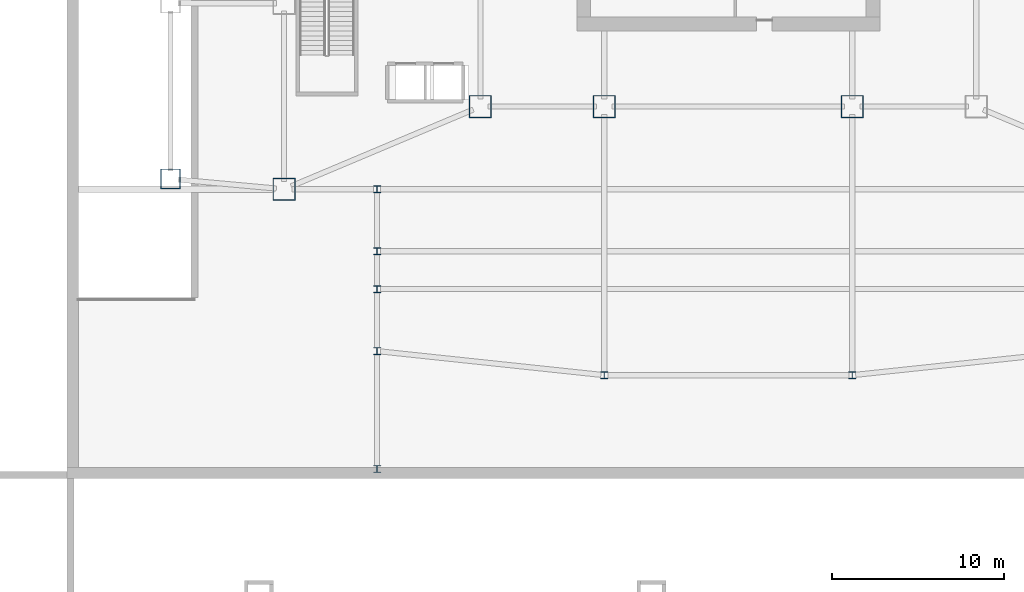
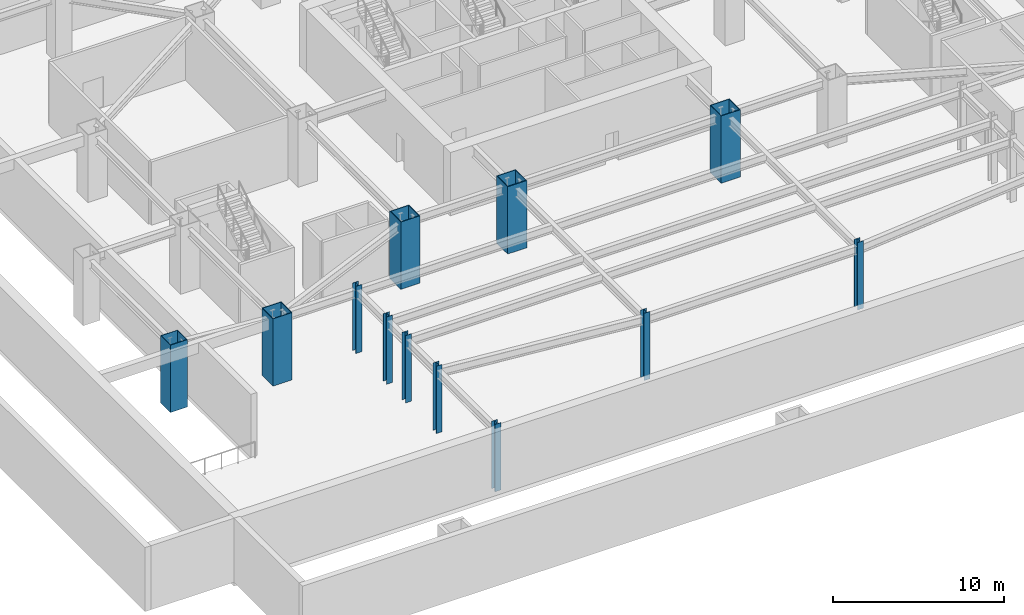
# One storey, part 1 of 15: 12 columns.
"""IFC4 building model written with IfcOpenShell, lengths in metres."""

from ifc_helpers import new_model, si_unit, direction, frame, origin, origin_2d, place, context, subcontext, project, spatial, hollow_rectangle, i_section, extrude, material, material_profile, profile_set, type_object, element, save


model = new_model("IFC4")

# Units and contexts
model_context = context("Model", 3, precision=1e-05, world=origin(), true_north=direction((0.0, 1.0)))
body_context = subcontext(model_context, "Body", "Model", "MODEL_VIEW")
ifc_project = project(units=[si_unit("LENGTHUNIT", "METRE"), si_unit("AREAUNIT", "SQUARE_METRE"), si_unit("VOLUMEUNIT", "CUBIC_METRE"), si_unit("PLANEANGLEUNIT", "RADIAN"), si_unit("MASSUNIT", "GRAM", prefix="KILO")], contexts=[model_context])

# Site, building, storey
site_placement = place(None, origin())
site = spatial("IfcSite", under=ifc_project, at=site_placement, CompositionType="ELEMENT")
building_placement = place(site_placement, origin())
building = spatial("IfcBuilding", under=site, at=building_placement, Name="Haolan Belvedere Tower", CompositionType="ELEMENT")
storey_placement = place(building_placement, frame((0.0, 0.0, -4.800048828125)))
storey = spatial("IfcBuildingStorey", under=building, at=storey_placement, Name="B1", CompositionType="ELEMENT", Elevation=-4.800048828125)

# Columns
ifc_material = material(Name="Steel Q355B", Category="steel")
ifc_material_profile_1 = material_profile(ifc_material, hollow_rectangle(XDim=1.14990234375, YDim=1.14990234375, WallThickness=0.0419921875, at=origin_2d()), Name="Steel Q355B")
ifc_profile_set_1 = profile_set([ifc_material_profile_1], Name="Steel Q355B")
column_type_1 = type_object("IfcColumnType", Name="COL-BOX1150x1150x42", PredefinedType="COLUMN", material=ifc_profile_set_1)
column_placement = place(storey_placement, frame((6.0, 17.39990234375, 0.0), z_axis=(0.0, 0.0, 1.0), x_axis=(1.0, 0.0, 0.0)))
element("IfcColumn", 1, at=column_placement, inside=storey, type_object=column_type_1, Name="B1 column MC-T1-SW (BOX1150x1150x42)", PredefinedType="COLUMN", context=body_context, shape_type="SweptSolid", body=[
    extrude(hollow_rectangle(XDim=1.14990234375, YDim=1.14990234375, WallThickness=0.0419921875, at=origin_2d()), origin(), (0.0, 0.0, 1.0), 4.800048828125),
])
ifc_material_profile_2 = material_profile(ifc_material, hollow_rectangle(XDim=1.300048828125, YDim=1.300048828125, WallThickness=0.048095703125, at=origin_2d()), Name="Steel Q355B")
ifc_profile_set_2 = profile_set([ifc_material_profile_2], Name="Steel Q355B")
column_type_2 = type_object("IfcColumnType", Name="COL-BOX1300x1300x48", PredefinedType="COLUMN", material=ifc_profile_set_2)
for number, where, z_axis, x_axis, name in (
    (2, (24.0, 21.60009765625, 0.0), (0.0, 0.0, 1.0), (1.0, 0.0, 0.0), "B1 column MC-T3-SW (BOX1300x1300x48)"),
    (3, (31.199951171875, 21.60009765625, 0.0), (0.0, 0.0, 1.0), (1.0, 0.0, 0.0), "B1 column MC-T3-S1 (BOX1300x1300x48)"),
    (4, (45.60009765625, 21.60009765625, 0.0), (0.0, 0.0, 1.0), (1.0, 0.0, 0.0), "B1 column MC-T3-S2 (BOX1300x1300x48)"),
    (5, (12.60009765625, 16.800048828125, 0.0), (0.0, 0.0, 1.0), (1.0, 0.0, 0.0), "B1 column MC-T2-SW (BOX1300x1300x48)"),
):
    element("IfcColumn", number, at=place(storey_placement, frame(where, z_axis=z_axis, x_axis=x_axis)), inside=storey, type_object=column_type_2, Name=name, PredefinedType="COLUMN", context=body_context, shape_type="SweptSolid", body=[
        extrude(hollow_rectangle(XDim=1.300048828125, YDim=1.300048828125, WallThickness=0.048095703125, at=origin_2d()), origin(), (0.0, 0.0, 1.0), 4.800048828125),
    ])
ifc_material_profile_3 = material_profile(ifc_material, i_section(OverallWidth=0.39990234375, OverallDepth=0.39990234375, WebThickness=0.012939453125, FlangeThickness=0.02099609375, FilletRadius=0.02197265625, at=origin_2d()), Name="Steel Q355B")
ifc_profile_set_3 = profile_set([ifc_material_profile_3], Name="Steel Q355B")
column_type_3 = type_object("IfcColumnType", Name="COL-HW400x400x13x21", PredefinedType="COLUMN", material=ifc_profile_set_3)
for number, where, z_axis, x_axis, name in (
    (6, (18.0, 0.550048828125, 0.0), (0.0, 0.0, 1.0), (1.0, 0.0, 0.0), "B1 column PC-S0-W (HW400x400x13x21)"),
    (7, (18.0, 7.39990234375, 0.0), (0.0, 0.0, 1.0), (1.0, 0.0, 0.0), "B1 column PC-SW-1 (HW400x400x13x21)"),
    (8, (31.199951171875, 6.0, 0.0), (0.0, 0.0, 1.0), (1.0, 0.0, 0.0), "B1 column PC-SM-1 (HW400x400x13x21)"),
    (9, (45.60009765625, 6.0, 0.0), (0.0, 0.0, 1.0), (1.0, 0.0, 0.0), "B1 column PC-SM-2 (HW400x400x13x21)"),
    (10, (18.0, 11.0, 0.0), (0.0, 0.0, 1.0), (1.0, 0.0, 0.0), "B1 column PC-CS2-W (HW400x400x13x21)"),
    (11, (18.0, 13.199951171875, 0.0), (0.0, 0.0, 1.0), (1.0, 0.0, 0.0), "B1 column PC-CS3-W (HW400x400x13x21)"),
    (12, (18.0, 16.800048828125, 0.0), (0.0, 0.0, 1.0), (1.0, 0.0, 0.0), "B1 column PC-CS4-W (HW400x400x13x21)"),
):
    element("IfcColumn", number, at=place(storey_placement, frame(where, z_axis=z_axis, x_axis=x_axis)), inside=storey, type_object=column_type_3, Name=name, PredefinedType="COLUMN", context=body_context, shape_type="SweptSolid", body=[
        extrude(i_section(OverallWidth=0.39990234375, OverallDepth=0.39990234375, WebThickness=0.012939453125, FlangeThickness=0.02099609375, FilletRadius=0.02197265625, at=origin_2d()), origin(), (0.0, 0.0, 1.0), 4.800048828125),
    ])

save(model, "model.ifc")
